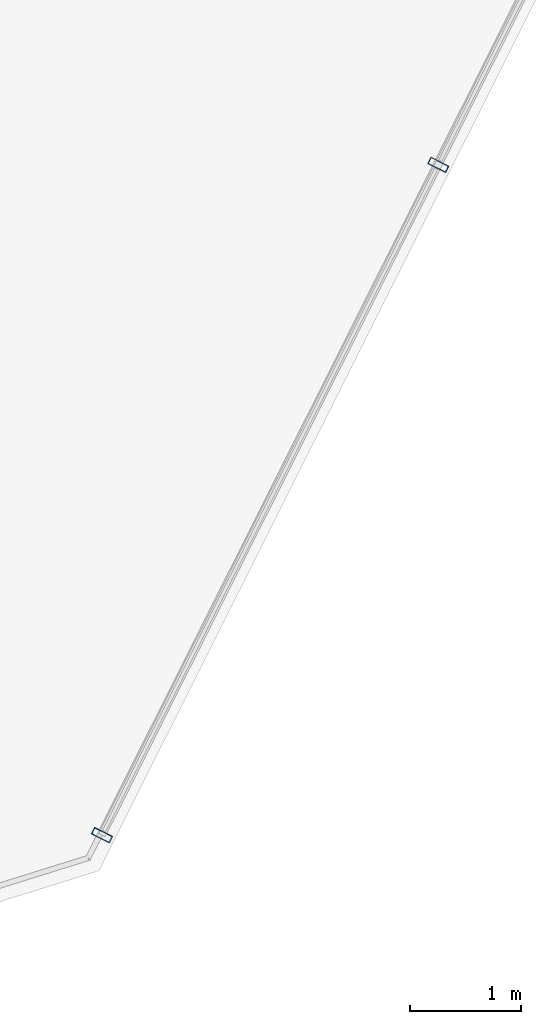
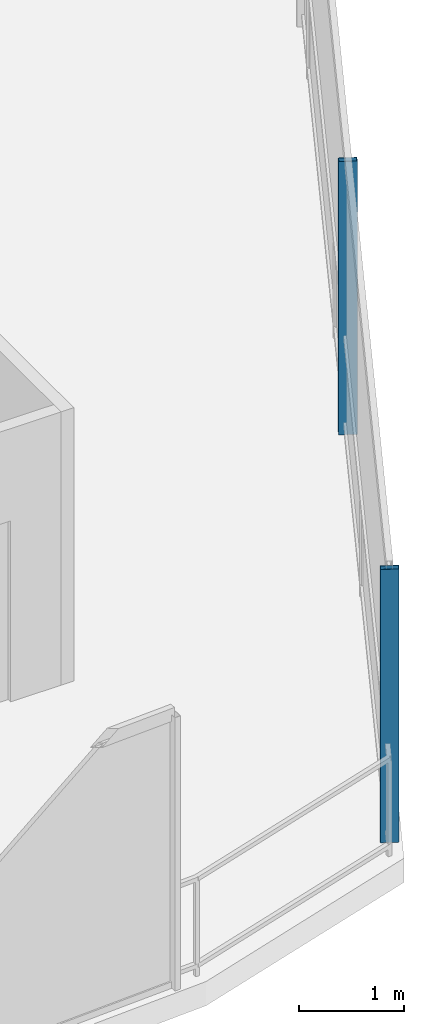
# One storey, part 10 of 30: 2 members, 1 element without a shape of its own.
"""IFC4 building model written with IfcOpenShell, lengths in metres."""

from ifc_helpers import new_model, si_unit, direction, frame, origin, origin_2d, place, context, subcontext, project, spatial, hollow_rectangle, extrude, material, layer, layer_set, material_profile, profile_set, type_object, element, aggregate, save


model = new_model("IFC4")

# Units and contexts
model_context = context("Model", 3, precision=1e-05, world=origin(), true_north=direction((0.0, 1.0)))
body_context = subcontext(model_context, "Body", "Model", "MODEL_VIEW")
ifc_project = project(units=[si_unit("LENGTHUNIT", "METRE"), si_unit("AREAUNIT", "SQUARE_METRE"), si_unit("VOLUMEUNIT", "CUBIC_METRE"), si_unit("PLANEANGLEUNIT", "RADIAN"), si_unit("MASSUNIT", "GRAM", prefix="KILO")], contexts=[model_context])

# Site, building, storey
site_placement = place(None, origin())
site = spatial("IfcSite", under=ifc_project, at=site_placement, CompositionType="ELEMENT")
building_placement = place(site_placement, origin())
building = spatial("IfcBuilding", under=site, at=building_placement, Name="Qarnah Convention Tower", CompositionType="ELEMENT")
storey_placement = place(building_placement, frame((0.0, 0.0, 79.800048828125)))
storey = spatial("IfcBuildingStorey", under=building, at=storey_placement, Name="L20", CompositionType="ELEMENT", Elevation=79.800048828125)

# Curtain wall, members
ifc_material_1 = material(Name="Tempered Low-E dark glass", Category="glass")
ifc_layer = layer(ifc_material_1, 0.169921875)
ifc_layer_set = layer_set([ifc_layer], Name="Tempered Low-E dark glass")
curtain_wall_type = type_object("IfcCurtainWallType", Name="CWS-02", PredefinedType="NOTDEFINED", material=ifc_layer_set)
curtain_wall_placement = place(storey_placement, origin())
curtain_wall = element("IfcCurtainWall", 1, at=curtain_wall_placement, inside=storey, type_object=curtain_wall_type, Name="L20 unitised curtain wall CW-L20-F2", PredefinedType="NOTDEFINED")
ifc_material_2 = material(Name="Black anodised aluminium", Category="aluminium")
ifc_material_profile = material_profile(ifc_material_2, hollow_rectangle(XDim=0.06494140625, YDim=0.179931640625, WallThickness=0.00390625, at=origin_2d()), Name="MUL-65X180")
ifc_profile_set = profile_set([ifc_material_profile], Name="Black anodised aluminium")
member_type = type_object("IfcMemberType", Name="MUL-T2", PredefinedType="MULLION", material=ifc_profile_set)
member_1_placement = place(storey_placement, frame((49.87646484375, 8.790771484375, 0.0), z_axis=(0.0, 0.0, 1.0), x_axis=(-0.44839497881, -0.893835523448, 0.0)))
member_1 = element("IfcMember", 2, at=member_1_placement, type_object=member_type, Name="CW-L20-F2 mullion 5", PredefinedType="MULLION", context=body_context, shape_type="SweptSolid", body=[
    extrude(hollow_rectangle(XDim=0.06494140625, YDim=0.179931640625, WallThickness=0.00390625, at=origin_2d()), origin(), (0.0, 0.0, 1.0), 3.169921875),
])
member_2_placement = place(storey_placement, frame((46.841064453125, 2.739990234375, 0.0), z_axis=(0.0, 0.0, 1.0), x_axis=(-0.44839497881, -0.893835523448, 0.0)))
member_2 = element("IfcMember", 3, at=member_2_placement, type_object=member_type, Name="CW-L20-F2 mullion 6", PredefinedType="MULLION", context=body_context, shape_type="SweptSolid", body=[
    extrude(hollow_rectangle(XDim=0.06494140625, YDim=0.179931640625, WallThickness=0.00390625, at=origin_2d()), origin(), (0.0, 0.0, 1.0), 3.169921875),
])
aggregate(curtain_wall, [member_1, member_2])

save(model, "model.ifc")
